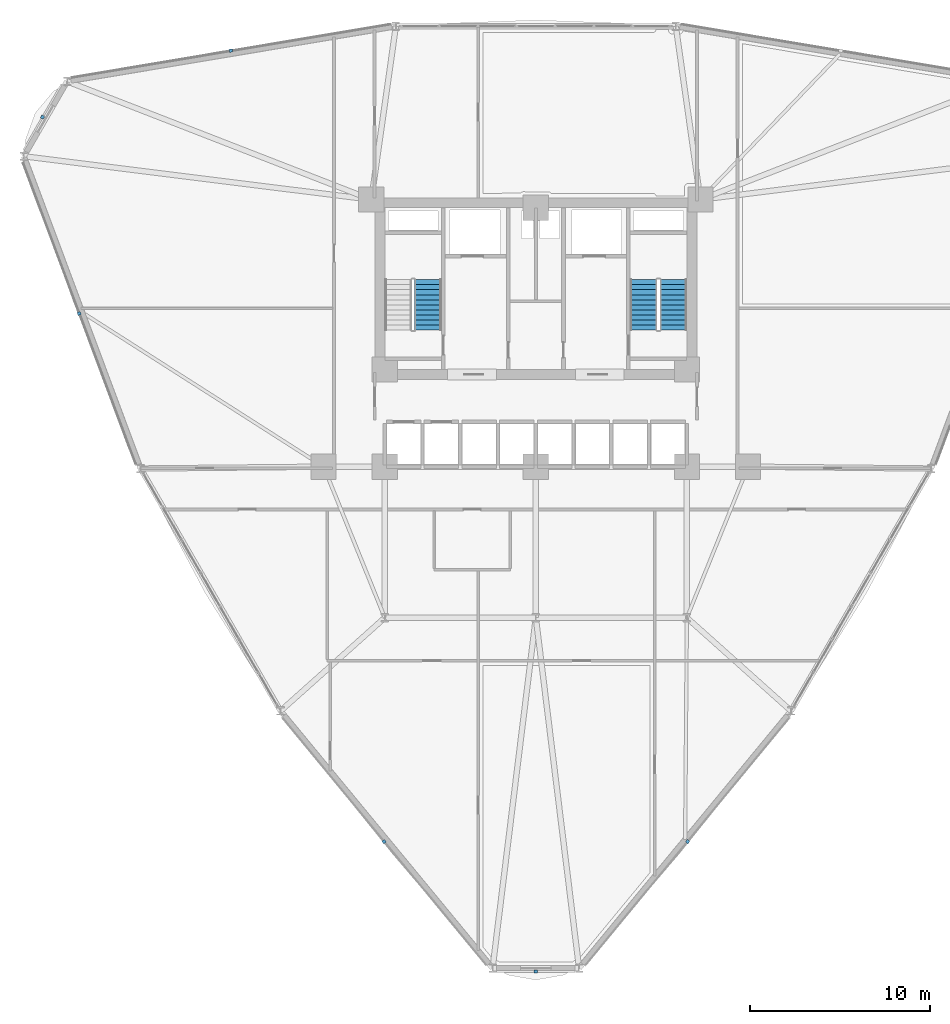
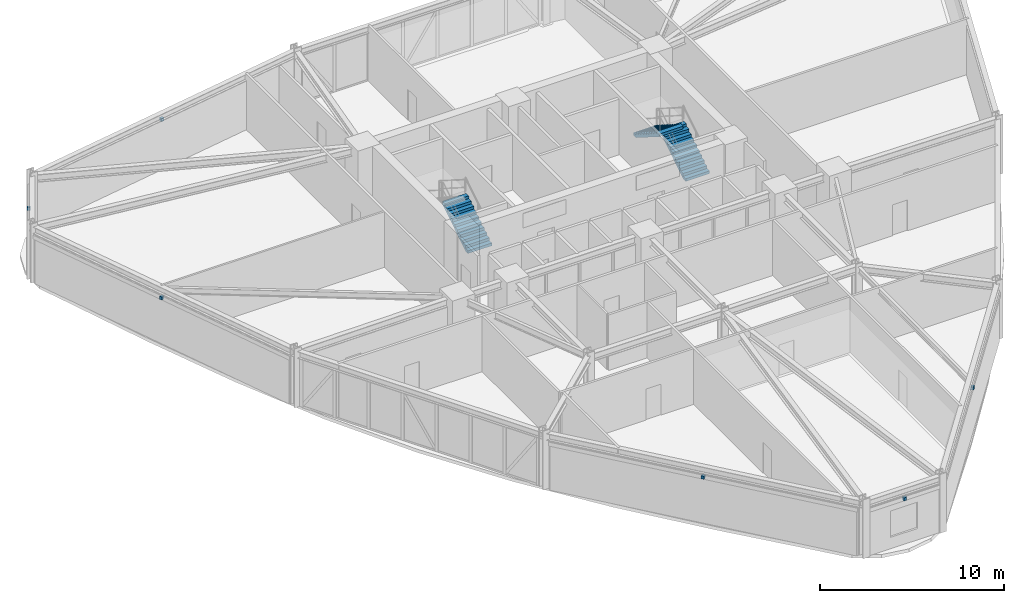
# One storey, part 18 of 22: 6 discrete accessories, 3 stair flights, 2 elements without a shape of their own.
"""IFC4 building model written with IfcOpenShell, lengths in metres."""

import ifcopenshell
import ifcopenshell.guid

model = None  # the IFC model being written
_history = None  # IfcOwnerHistory: only IFC2X3 demands one
_inside = {}  # id of a spatial element -> (the spatial element, [elements in it])
_under = {}  # id of a project, library or spatial element -> (it, [spatial elements below it])
_declared = {}  # id of a project -> (the project, [libraries it declares])
_typed = {}  # id of a type object -> (the type object, [elements of that type])
_made_of = {}  # id of a material, layer set ... -> (it, [elements and type objects made of it])


def new_model(schema):
    """Start an empty IFC model of exactly this schema.

    Asked for "IFC4X3", IfcOpenShell would pick the latest addendum, in which some entities
    have other attributes; the version numbers below select the first issue.
    IFC2X3 requires an IfcOwnerHistory on every rooted entity: one is made here for all.
    """
    global model, _history
    if schema == "IFC4X3":
        model = ifcopenshell.file(schema_version=(4, 3, 0, 0))
    else:
        model = ifcopenshell.file(schema=schema)
    _inside.clear()
    _under.clear()
    _declared.clear()
    _typed.clear()
    _made_of.clear()
    _history = None
    if model.schema == "IFC2X3":
        org = make("IfcOrganization", Name="unknown")
        user = make(
            "IfcPersonAndOrganization",
            ThePerson=make("IfcPerson", FamilyName="unknown"),
            TheOrganization=org,
        )
        app = make(
            "IfcApplication",
            ApplicationDeveloper=org,
            Version="unknown",
            ApplicationFullName="unknown",
            ApplicationIdentifier="unknown",
        )
        _history = make(
            "IfcOwnerHistory",
            OwningUser=user,
            OwningApplication=app,
            ChangeAction="ADDED",
            CreationDate=0,
        )
    return model


def make(cls, **values):
    """One entity of the class cls with the attributes given. An attribute that is None is left unset."""
    return model.create_entity(
        cls, **{name: value for name, value in values.items() if value is not None}
    )


def rooted(cls, **values):
    """An entity with a GlobalId (a new one), such as an element, a storey or a relation."""
    return make(cls, GlobalId=ifcopenshell.guid.new(), OwnerHistory=_history, **values)


def si_unit(unit_type, name, prefix=None):
    """IfcSIUnit, for example si_unit("LENGTHUNIT", "METRE", prefix="MILLI")."""
    return make("IfcSIUnit", UnitType=unit_type, Prefix=prefix, Name=name)


def derived_unit(unit_type, elements):
    """IfcDerivedUnit: a product of units, each with its exponent."""
    return make(
        "IfcDerivedUnit",
        Elements=[
            make("IfcDerivedUnitElement", Unit=unit, Exponent=power)
            for unit, power in elements
        ],
        UnitType=unit_type,
    )


def assignment(units):
    """IfcUnitAssignment: the units of a project."""
    return None if units is None else make("IfcUnitAssignment", Units=units)


def point(xyz):
    """IfcCartesianPoint."""
    return None if xyz is None else make("IfcCartesianPoint", Coordinates=xyz)


def direction(xyz):
    """IfcDirection."""
    return None if xyz is None else make("IfcDirection", DirectionRatios=xyz)


def frame(location, z_axis=None, x_axis=None):
    """IfcAxis2Placement3D, a coordinate frame: its origin and axes. An axis left out is left unset."""
    return make(
        "IfcAxis2Placement3D",
        Location=point(location),
        Axis=direction(z_axis),
        RefDirection=direction(x_axis),
    )


def frame_2d(location, x_axis=None):
    """IfcAxis2Placement2D, a coordinate frame in the plane: its origin and x axis."""
    return make(
        "IfcAxis2Placement2D", Location=point(location), RefDirection=direction(x_axis)
    )


def origin():
    """The frame at (0, 0, 0) with its axes left unset."""
    return frame((0.0, 0.0, 0.0))


def origin_2d():
    """The frame at (0, 0) in the plane with its x axis left unset."""
    return frame_2d((0.0, 0.0))


def place(relative_to, where):
    """IfcLocalPlacement: puts the frame where relative to a parent placement (None: the world)."""
    return make(
        "IfcLocalPlacement", PlacementRelTo=relative_to, RelativePlacement=where
    )


def context(
    kind, dimensions, precision=None, world=None, true_north=None, identifier=None
):
    """IfcGeometricRepresentationContext, for example the 3D "Model" context."""
    return make(
        "IfcGeometricRepresentationContext",
        ContextIdentifier=identifier,
        ContextType=kind,
        CoordinateSpaceDimension=dimensions,
        Precision=precision,
        WorldCoordinateSystem=world,
        TrueNorth=true_north,
    )


def subcontext(parent, identifier, kind, view, scale=None):
    """IfcGeometricRepresentationSubContext, for example "Body" below "Model"."""
    return make(
        "IfcGeometricRepresentationSubContext",
        ContextIdentifier=identifier,
        ContextType=kind,
        ParentContext=parent,
        TargetScale=scale,
        TargetView=view,
    )


def project(units=None, contexts=None):
    """IfcProject with its units and contexts."""
    return rooted(
        "IfcProject",
        Name="project",
        RepresentationContexts=contexts,
        UnitsInContext=assignment(units),
    )


def spatial(cls, under=None, at=None, **own):
    """A site, building, storey or space (cls), placed at a placement, below another one or the project."""
    s = rooted(cls, ObjectPlacement=at, **own)
    if under is not None:
        _under.setdefault(under.id(), (under, []))[1].append(s)
    return s


def polyline(points):
    """IfcPolyline through the points."""
    return make("IfcPolyline", Points=[point(p) for p in points])


def profile(cls, at=None, kind="AREA", **sizes):
    """A parametric profile (cls). Its sizes go by their IFC names, for example OverallWidth=200.0."""
    return make(cls, ProfileType=kind, Position=at, **sizes)


def rectangle(**sizes):
    """IfcRectangleProfileDef."""
    return profile("IfcRectangleProfileDef", **sizes)


def outline(outer, holes=None, kind="AREA"):
    """IfcArbitraryClosedProfileDef: a profile drawn as a closed curve; with holes, ...WithVoids."""
    if holes is None:
        return make("IfcArbitraryClosedProfileDef", ProfileType=kind, OuterCurve=outer)
    return make(
        "IfcArbitraryProfileDefWithVoids",
        ProfileType=kind,
        OuterCurve=outer,
        InnerCurves=holes,
    )


def extrude(swept, where, along, depth):
    """IfcExtrudedAreaSolid: the profile swept, set in the frame where, extruded along a direction by depth."""
    return make(
        "IfcExtrudedAreaSolid",
        SweptArea=swept,
        Position=where,
        ExtrudedDirection=direction(along),
        Depth=depth,
    )


def shape(context_of_items, identifier, shape_type, items):
    """IfcShapeRepresentation: the items that make up one representation, for example the "Body"."""
    return make(
        "IfcShapeRepresentation",
        ContextOfItems=context_of_items,
        RepresentationIdentifier=identifier,
        RepresentationType=shape_type,
        Items=items,
    )


def source(mapping_origin, context_of_items, identifier, shape_type, items):
    """IfcRepresentationMap: a shape defined once, which mapped items show again and again."""
    return make(
        "IfcRepresentationMap",
        MappingOrigin=mapping_origin,
        MappedRepresentation=shape(context_of_items, identifier, shape_type, items),
    )


def transform(
    local_origin,
    x_axis=None,
    y_axis=None,
    z_axis=None,
    scale=None,
    scale2=None,
    scale3=None,
    uniform=True,
):
    """IfcCartesianTransformationOperator3D, or its non-uniform kind. x_axis, y_axis, z_axis: its Axis1, 2, 3."""
    if uniform:
        return make(
            "IfcCartesianTransformationOperator3D",
            Axis1=direction(x_axis),
            Axis2=direction(y_axis),
            LocalOrigin=point(local_origin),
            Scale=scale,
            Axis3=direction(z_axis),
        )
    return make(
        "IfcCartesianTransformationOperator3DnonUniform",
        Axis1=direction(x_axis),
        Axis2=direction(y_axis),
        LocalOrigin=point(local_origin),
        Scale=scale,
        Axis3=direction(z_axis),
        Scale2=scale2,
        Scale3=scale3,
    )


def mapped(mapping_source, mapping_target):
    """IfcMappedItem: shows the shape of a source again, moved by a transform."""
    return make(
        "IfcMappedItem", MappingSource=mapping_source, MappingTarget=mapping_target
    )


def material(Name=None, Category=None):
    """IfcMaterial."""
    return make("IfcMaterial", Name=Name, Category=Category)


def made_of(thing, what):
    """Note that an element or type object is made of a material, layer set ...; save() writes the relation."""
    if what is not None:
        _made_of.setdefault(what.id(), (what, []))[1].append(thing)
    return thing


def type_object(cls, material=None, **own):
    """A type object (cls), such as IfcWallType, which elements share."""
    return made_of(rooted(cls, **own), material)


def element(
    cls,
    number,
    at=None,
    inside=None,
    cuts=None,
    type_object=None,
    material=None,
    context=None,
    identifier="Body",
    shape_type=None,
    held_by="IfcProductDefinitionShape",
    body=None,
    shapes=None,
    **own,
):
    """One element of the class cls, such as IfcWall. Its Tag is "e" and its number.

    at: its placement. inside: the storey or other place that contains it. cuts: it is an
    opening in that element (IfcRelVoidsElement). A single representation is given by context,
    identifier, shape_type and body (its items); several are given by shapes. held_by: the class
    of the entity that holds the representations. save() writes the other relations.
    """
    e = rooted(cls, Tag="e%d" % number, ObjectPlacement=at, **own)
    if body is not None:
        shapes = [shape(context, identifier, shape_type, body)]
    if shapes is not None:
        e.Representation = make(held_by, Representations=shapes)
    if inside is not None:
        _inside.setdefault(inside.id(), (inside, []))[1].append(e)
    if cuts is not None:
        rooted(
            "IfcRelVoidsElement", RelatingBuildingElement=cuts, RelatedOpeningElement=e
        )
    if type_object is not None:
        _typed.setdefault(type_object.id(), (type_object, []))[1].append(e)
    return made_of(e, material)


def aggregate(whole, parts):
    """IfcRelAggregates: a whole, such as a stair, and the parts it consists of."""
    return rooted("IfcRelAggregates", RelatingObject=whole, RelatedObjects=parts)


def save(model, path):
    """Write the relations noted so far, then the file.

    IfcRelAggregates (storeys below a building ...), IfcRelContainedInSpatialStructure (elements
    in a storey), IfcRelDefinesByType, IfcRelAssociatesMaterial and IfcRelDeclares: one each for
    every whole, place, type object, material and project.
    """
    for whole, parts in _under.values():
        aggregate(whole, parts)
    for where, things in _inside.values():
        rooted(
            "IfcRelContainedInSpatialStructure",
            RelatedElements=things,
            RelatingStructure=where,
        )
    for kind, things in _typed.values():
        rooted("IfcRelDefinesByType", RelatedObjects=things, RelatingType=kind)
    for what, things in _made_of.values():
        rooted("IfcRelAssociatesMaterial", RelatedObjects=things, RelatingMaterial=what)
    for by, libraries in _declared.values():
        rooted("IfcRelDeclares", RelatingContext=by, RelatedDefinitions=libraries)
    model.write(path)


model = new_model("IFC4")

# Units and contexts
model_context = context("Model", 3, precision=1e-05, world=origin(), true_north=direction((0.0, 1.0)))
body_context = subcontext(model_context, "Body", "Model", "MODEL_VIEW")
ifc_project = project(units=[si_unit("LENGTHUNIT", "METRE"), si_unit("AREAUNIT", "SQUARE_METRE"), si_unit("VOLUMEUNIT", "CUBIC_METRE"), si_unit("PLANEANGLEUNIT", "RADIAN"), si_unit("MASSUNIT", "GRAM", prefix="KILO"), derived_unit("THERMALTRANSMITTANCEUNIT", [(si_unit("POWERUNIT", "WATT"), 1), (si_unit("LENGTHUNIT", "METRE"), -2), (si_unit("THERMODYNAMICTEMPERATUREUNIT", "KELVIN"), -1)])], contexts=[model_context])

# Site, building, storey
site_placement = place(None, origin())
site = spatial("IfcSite", under=ifc_project, at=site_placement, CompositionType="ELEMENT")
building_placement = place(site_placement, origin())
building = spatial("IfcBuilding", under=site, at=building_placement, Name="Korsvarv Bourse and Concert Hall", CompositionType="ELEMENT")
storey_placement = place(building_placement, frame((0.0, 0.0, 47.39990234375)))
storey = spatial("IfcBuildingStorey", under=building, at=storey_placement, Name="L11", CompositionType="ELEMENT", Elevation=47.39990234375)

# Stair, stair flight
ifc_material_1 = material(Name="Precast concrete C45/55", Category="concrete")
stair_type = type_object("IfcStairType", Name="STR-TYPE-03", PredefinedType="HALF_TURN_STAIR", material=ifc_material_1)
stair_1_placement = place(storey_placement, origin())
stair_1 = element("IfcStair", 1, at=stair_1_placement, inside=storey, type_object=stair_type, Name="L11 Tower West Exit Stair ST-T1", PredefinedType="HALF_TURN_STAIR")
stair_flight_type = type_object("IfcStairFlightType", Name="FLT-TYPE-03", PredefinedType="STRAIGHT", material=ifc_material_1)
stair_flight_1_placement = place(storey_placement, frame((30.010009765625, 40.0, 0.0), z_axis=(0.0, 0.0, 1.0), x_axis=(0.0, 1.0, 0.0)))
stair_flight_1 = element("IfcStairFlight", 2, at=stair_flight_1_placement, type_object=stair_flight_type, Name="ST-T1 flight 1", NumberOfRisers=11, NumberOfTreads=10, PredefinedType="STRAIGHT", RiserHeight=0.177272727, TreadLength=0.28, context=body_context, shape_type="SweptSolid", body=[
    extrude(outline(polyline([(0.0, 0.0), (0.0, 0.17724609375), (0.280029296875, 0.17724609375), (0.280029296875, 0.3544921875), (0.56005859375, 0.3544921875), (0.56005859375, 0.53173828125), (0.840087890625, 0.53173828125), (0.840087890625, 0.708984375), (1.1201171875, 0.708984375), (1.1201171875, 0.886474609375), (1.39990234375, 0.886474609375), (1.39990234375, 1.063720703125), (1.679931640625, 1.063720703125), (1.679931640625, 1.240966796875), (1.9599609375, 1.240966796875), (1.9599609375, 1.418212890625), (2.239990234375, 1.418212890625), (2.239990234375, 1.595458984375), (2.52001953125, 1.595458984375), (2.52001953125, 1.772705078125), (2.800048828125, 1.772705078125), (2.800048828125, 1.949951171875), (2.800048828125, 1.59521484375), (0.2802734375, 0.0), (0.0, 0.0)])), frame((0.0, 0.75, 0.0), z_axis=(0.0, -1.0, 0.0), x_axis=(1.0, 0.0, 0.0)), (0.0, 0.0, 1.0), 1.5),
])
aggregate(stair_1, [stair_flight_1])

# Stair, stair flights
stair_2_placement = place(storey_placement, origin())
stair_2 = element("IfcStair", 3, at=stair_2_placement, inside=storey, type_object=stair_type, Name="L11 Tower East Exit Stair ST-T2", PredefinedType="HALF_TURN_STAIR")
stair_flight_2_placement = place(storey_placement, frame((43.64990234375, 40.0, 0.0), z_axis=(0.0, 0.0, 1.0), x_axis=(0.0, 1.0, 0.0)))
stair_flight_2 = element("IfcStairFlight", 4, at=stair_flight_2_placement, type_object=stair_flight_type, Name="ST-T2 flight 1", NumberOfRisers=11, NumberOfTreads=10, PredefinedType="STRAIGHT", RiserHeight=0.177272727, TreadLength=0.28, context=body_context, shape_type="SweptSolid", body=[
    extrude(outline(polyline([(0.0, 0.0), (0.0, 0.17724609375), (0.280029296875, 0.17724609375), (0.280029296875, 0.3544921875), (0.56005859375, 0.3544921875), (0.56005859375, 0.53173828125), (0.840087890625, 0.53173828125), (0.840087890625, 0.708984375), (1.1201171875, 0.708984375), (1.1201171875, 0.886474609375), (1.39990234375, 0.886474609375), (1.39990234375, 1.063720703125), (1.679931640625, 1.063720703125), (1.679931640625, 1.240966796875), (1.9599609375, 1.240966796875), (1.9599609375, 1.418212890625), (2.239990234375, 1.418212890625), (2.239990234375, 1.595458984375), (2.52001953125, 1.595458984375), (2.52001953125, 1.772705078125), (2.800048828125, 1.772705078125), (2.800048828125, 1.949951171875), (2.800048828125, 1.59521484375), (0.2802734375, 0.0), (0.0, 0.0)])), frame((0.0, 0.75, 0.0), z_axis=(0.0, -1.0, 0.0), x_axis=(1.0, 0.0, 0.0)), (0.0, 0.0, 1.0), 1.5),
])
stair_flight_3_placement = place(storey_placement, frame((41.989990234375, 42.800048828125, 1.9501953125), z_axis=(0.0, 0.0, 1.0), x_axis=(0.0, -1.0, 0.0)))
stair_flight_3 = element("IfcStairFlight", 5, at=stair_flight_3_placement, type_object=stair_flight_type, Name="ST-T2 flight 2", NumberOfRisers=11, NumberOfTreads=10, PredefinedType="STRAIGHT", RiserHeight=0.177272727, TreadLength=0.28, context=body_context, shape_type="SweptSolid", body=[
    extrude(outline(polyline([(0.0, 0.0), (0.0, 0.17724609375), (0.280029296875, 0.17724609375), (0.280029296875, 0.3544921875), (0.56005859375, 0.3544921875), (0.56005859375, 0.53173828125), (0.840087890625, 0.53173828125), (0.840087890625, 0.708984375), (1.1201171875, 0.708984375), (1.1201171875, 0.886474609375), (1.39990234375, 0.886474609375), (1.39990234375, 1.063720703125), (1.679931640625, 1.063720703125), (1.679931640625, 1.240966796875), (1.9599609375, 1.240966796875), (1.9599609375, 1.418212890625), (2.239990234375, 1.418212890625), (2.239990234375, 1.595458984375), (2.52001953125, 1.595458984375), (2.52001953125, 1.772705078125), (2.800048828125, 1.772705078125), (2.800048828125, 1.949951171875), (2.800048828125, 1.59521484375), (0.2802734375, 0.0), (0.0, 0.0)])), frame((0.0, 0.75, 0.0), z_axis=(0.0, -1.0, 0.0), x_axis=(1.0, 0.0, 0.0)), (0.0, 0.0, 1.0), 1.5),
])
aggregate(stair_2, [stair_flight_2, stair_flight_3])

# Discrete accessories
ifc_material_2 = material(Name="Stainless Steel S355 facade outrigger bracket", Category="steel")
discrete_accessory_type = type_object("IfcDiscreteAccessoryType", Name="ACC-BRK-1", PredefinedType="BRACKET", material=ifc_material_2)
shared_shape = source(origin(), body_context, "Body", "SweptSolid", [
    extrude(rectangle(XDim=0.179931640625, YDim=0.179931640625, at=origin_2d()), origin(), (0.0, 0.0, 1.0), 0.199951171875),
])
for number, where, z_axis, x_axis, name in (
    (6, (19.043212890625, 55.53662109375, 2.97021484375), (0.0, 0.0, 1.0), (-0.986285601537, -0.165047605861, 0.0), "L11 terracotta sunshade bracket EW-L11-B04"),
    (7, (8.563720703125, 51.840576171875, 2.97021484375), (0.0, 0.0, 1.0), (-0.5, -0.866025403784, 0.0), "L11 terracotta sunshade bracket EW-L11-B05"),
    (8, (10.6025390625, 40.916748046875, 2.97021484375), (0.0, 0.0, 1.0), (0.350207381259, -0.936672189248, 0.0), "L11 terracotta sunshade bracket EW-L11-B06"),
    (9, (27.55908203125, 11.546875, 2.97021484375), (0.0, 0.0, 1.0), (0.636078220278, -0.771624583388, 0.0), "L11 terracotta sunshade bracket EW-L11-B08"),
    (10, (36.0, 4.319091796875, 2.97021484375), (0.0, 0.0, 1.0), (1.0, 0.0, 0.0), "L11 terracotta sunshade bracket EW-L11-B09"),
    (11, (44.44091796875, 11.546875, 2.97021484375), (0.0, 0.0, 1.0), (0.636078220278, 0.771624583388, 0.0), "L11 terracotta sunshade bracket EW-L11-B10"),
):
    element("IfcDiscreteAccessory", number, at=place(storey_placement, frame(where, z_axis=z_axis, x_axis=x_axis)), inside=storey, type_object=discrete_accessory_type, Name=name, PredefinedType="BRACKET", context=body_context, shape_type="MappedRepresentation", body=[
        mapped(shared_shape, transform((0.0, 0.0, 0.0), scale=1.0)),
    ])

save(model, "model.ifc")
